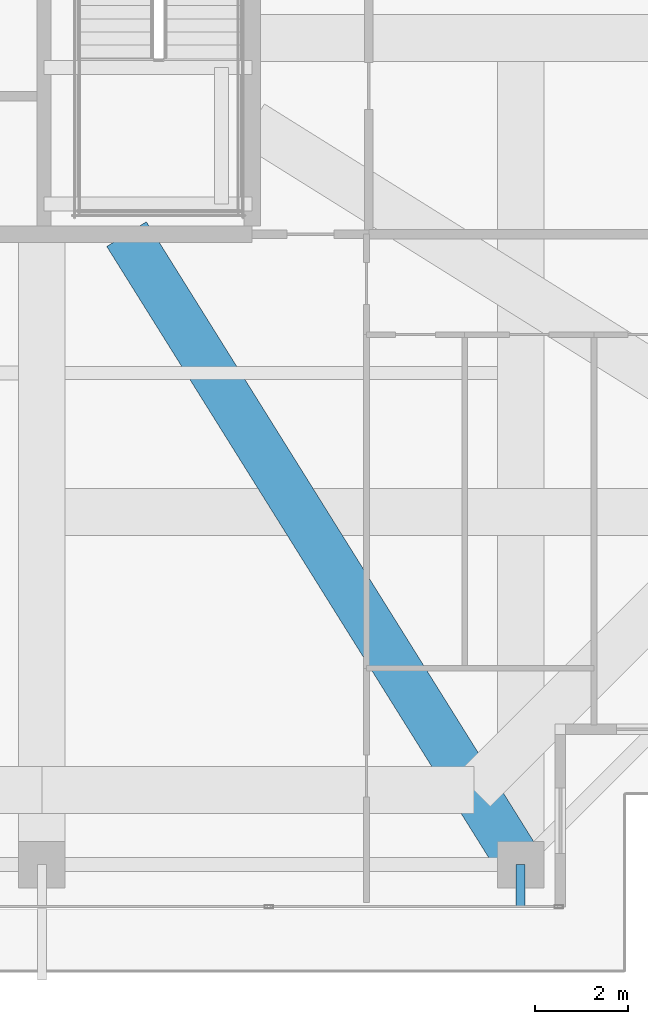
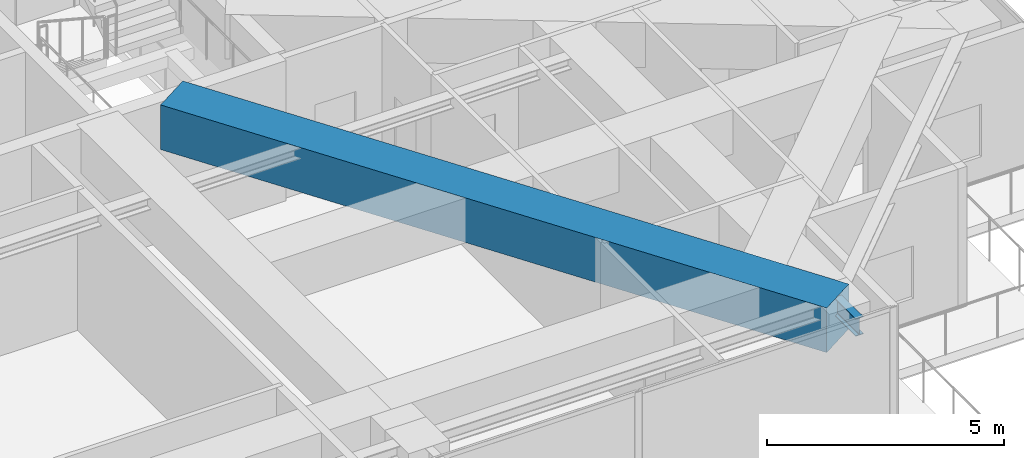
# One storey, part 14 of 40: 2 beams.
"""IFC4 building model written with IfcOpenShell, lengths in metres."""

from ifc_helpers import new_model, si_unit, direction, frame, origin, origin_2d, place, context, subcontext, project, spatial, rectangle, i_section, extrude, source, transform, mapped, material, material_profile, profile_set, type_object, element, save


model = new_model("IFC4")

# Units and contexts
model_context = context("Model", 3, precision=1e-05, world=origin(), true_north=direction((0.0, 1.0)))
body_context = subcontext(model_context, "Body", "Model", "MODEL_VIEW")
ifc_project = project(units=[si_unit("LENGTHUNIT", "METRE"), si_unit("AREAUNIT", "SQUARE_METRE"), si_unit("VOLUMEUNIT", "CUBIC_METRE"), si_unit("PLANEANGLEUNIT", "RADIAN"), si_unit("MASSUNIT", "GRAM", prefix="KILO")], contexts=[model_context])

# Site, building, storey
site_placement = place(None, origin())
site = spatial("IfcSite", under=ifc_project, at=site_placement, CompositionType="ELEMENT")
building_placement = place(site_placement, origin())
building = spatial("IfcBuilding", under=site, at=building_placement, Name="Serunith Strait Residences", CompositionType="ELEMENT")
storey_placement = place(building_placement, frame((0.0, 0.0, 333.949951171875)))
storey = spatial("IfcBuildingStorey", under=building, at=storey_placement, Name="L83", CompositionType="ELEMENT", Elevation=333.949951171875)

# Beams
ifc_material_1 = material(Name="Concrete C80/95", Category="concrete")
ifc_material_profile_1 = material_profile(ifc_material_1, rectangle(XDim=1.0, YDim=1.14990234375, at=origin_2d()), Name="RC 1000x1150")
ifc_profile_set_1 = profile_set([ifc_material_profile_1], Name="Concrete C80/95")
beam_type_1 = type_object("IfcBeamType", Name="BM-XFER-1000x1150", PredefinedType="BEAM", material=ifc_profile_set_1)
shared_shape_1 = source(origin(), body_context, "Body", "SweptSolid", [
    extrude(rectangle(XDim=1.0, YDim=1.14990234375, at=origin_2d()), origin(), (0.0, 0.0, 1.0), 15.919921875),
])
beam_1_placement = place(storey_placement, frame((47.14990234375, 3.300048828125, 3.03515625), z_axis=(-0.529998940003, 0.847998304005, 0.0), x_axis=(-0.847998304005, -0.529998940003, 0.0)))
element("IfcBeam", 1, at=beam_1_placement, inside=storey, type_object=beam_type_1, Name="L83 Diagonal Corner Transfer Girder TC-S4", PredefinedType="BEAM", context=body_context, shape_type="MappedRepresentation", body=[
    mapped(shared_shape_1, transform((0.0, 0.0, 0.0), scale=1.0)),
])
ifc_material_2 = material(Name="Steel S355J2", Category="steel")
ifc_material_profile_2 = material_profile(ifc_material_2, i_section(OverallWidth=0.18994140625, OverallDepth=0.449951171875, WebThickness=0.009521484375, FlangeThickness=0.0146484375, FilletRadius=0.02099609375, at=origin_2d()), Name="IPE 450")
ifc_profile_set_2 = profile_set([ifc_material_profile_2], Name="Steel S355J2")
beam_type_2 = type_object("IfcBeamType", Name="BM-IPE450", PredefinedType="JOIST", material=ifc_profile_set_2)
shared_shape_2 = source(origin(), body_context, "Body", "SweptSolid", [
    extrude(i_section(OverallWidth=0.18994140625, OverallDepth=0.449951171875, WebThickness=0.009521484375, FlangeThickness=0.0146484375, FilletRadius=0.02099609375, at=origin_2d()), origin(), (0.0, 0.0, 1.0), 0.915283203125),
])
beam_2_placement = place(storey_placement, frame((47.14990234375, 3.300048828125, 3.382080078125), z_axis=(0.0, -1.0, 0.0), x_axis=(1.0, 0.0, 0.0)))
element("IfcBeam", 2, at=beam_2_placement, inside=storey, type_object=beam_type_2, Name="L84 Cantilevered Balcony Rib TC-S4", PredefinedType="JOIST", context=body_context, shape_type="MappedRepresentation", body=[
    mapped(shared_shape_2, transform((0.0, 0.0, 0.0), scale=1.0)),
])

save(model, "model.ifc")
